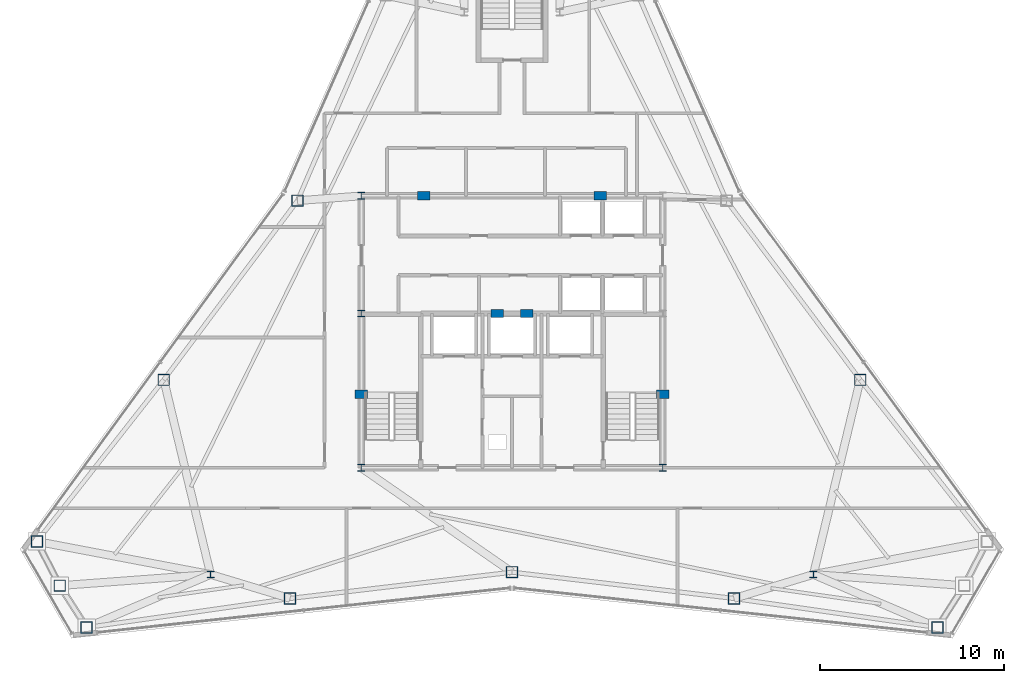
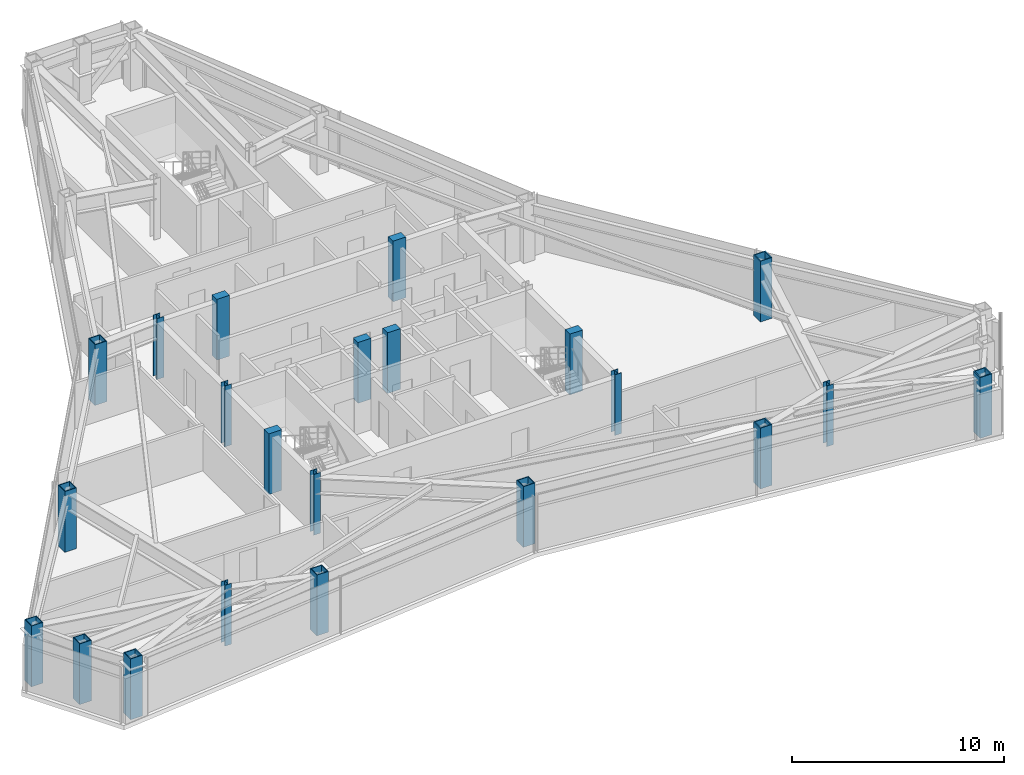
# One storey, part 1 of 12: 22 columns.
"""IFC4 building model written with IfcOpenShell, lengths in metres."""

import ifcopenshell
import ifcopenshell.guid

model = None  # the IFC model being written
_history = None  # IfcOwnerHistory: only IFC2X3 demands one
_inside = {}  # id of a spatial element -> (the spatial element, [elements in it])
_under = {}  # id of a project, library or spatial element -> (it, [spatial elements below it])
_declared = {}  # id of a project -> (the project, [libraries it declares])
_typed = {}  # id of a type object -> (the type object, [elements of that type])
_made_of = {}  # id of a material, layer set ... -> (it, [elements and type objects made of it])


def new_model(schema):
    """Start an empty IFC model of exactly this schema.

    Asked for "IFC4X3", IfcOpenShell would pick the latest addendum, in which some entities
    have other attributes; the version numbers below select the first issue.
    IFC2X3 requires an IfcOwnerHistory on every rooted entity: one is made here for all.
    """
    global model, _history
    if schema == "IFC4X3":
        model = ifcopenshell.file(schema_version=(4, 3, 0, 0))
    else:
        model = ifcopenshell.file(schema=schema)
    _inside.clear()
    _under.clear()
    _declared.clear()
    _typed.clear()
    _made_of.clear()
    _history = None
    if model.schema == "IFC2X3":
        org = make("IfcOrganization", Name="unknown")
        user = make(
            "IfcPersonAndOrganization",
            ThePerson=make("IfcPerson", FamilyName="unknown"),
            TheOrganization=org,
        )
        app = make(
            "IfcApplication",
            ApplicationDeveloper=org,
            Version="unknown",
            ApplicationFullName="unknown",
            ApplicationIdentifier="unknown",
        )
        _history = make(
            "IfcOwnerHistory",
            OwningUser=user,
            OwningApplication=app,
            ChangeAction="ADDED",
            CreationDate=0,
        )
    return model


def make(cls, **values):
    """One entity of the class cls with the attributes given. An attribute that is None is left unset."""
    return model.create_entity(
        cls, **{name: value for name, value in values.items() if value is not None}
    )


def rooted(cls, **values):
    """An entity with a GlobalId (a new one), such as an element, a storey or a relation."""
    return make(cls, GlobalId=ifcopenshell.guid.new(), OwnerHistory=_history, **values)


def si_unit(unit_type, name, prefix=None):
    """IfcSIUnit, for example si_unit("LENGTHUNIT", "METRE", prefix="MILLI")."""
    return make("IfcSIUnit", UnitType=unit_type, Prefix=prefix, Name=name)


def assignment(units):
    """IfcUnitAssignment: the units of a project."""
    return None if units is None else make("IfcUnitAssignment", Units=units)


def point(xyz):
    """IfcCartesianPoint."""
    return None if xyz is None else make("IfcCartesianPoint", Coordinates=xyz)


def direction(xyz):
    """IfcDirection."""
    return None if xyz is None else make("IfcDirection", DirectionRatios=xyz)


def frame(location, z_axis=None, x_axis=None):
    """IfcAxis2Placement3D, a coordinate frame: its origin and axes. An axis left out is left unset."""
    return make(
        "IfcAxis2Placement3D",
        Location=point(location),
        Axis=direction(z_axis),
        RefDirection=direction(x_axis),
    )


def frame_2d(location, x_axis=None):
    """IfcAxis2Placement2D, a coordinate frame in the plane: its origin and x axis."""
    return make(
        "IfcAxis2Placement2D", Location=point(location), RefDirection=direction(x_axis)
    )


def origin():
    """The frame at (0, 0, 0) with its axes left unset."""
    return frame((0.0, 0.0, 0.0))


def origin_2d():
    """The frame at (0, 0) in the plane with its x axis left unset."""
    return frame_2d((0.0, 0.0))


def place(relative_to, where):
    """IfcLocalPlacement: puts the frame where relative to a parent placement (None: the world)."""
    return make(
        "IfcLocalPlacement", PlacementRelTo=relative_to, RelativePlacement=where
    )


def context(
    kind, dimensions, precision=None, world=None, true_north=None, identifier=None
):
    """IfcGeometricRepresentationContext, for example the 3D "Model" context."""
    return make(
        "IfcGeometricRepresentationContext",
        ContextIdentifier=identifier,
        ContextType=kind,
        CoordinateSpaceDimension=dimensions,
        Precision=precision,
        WorldCoordinateSystem=world,
        TrueNorth=true_north,
    )


def subcontext(parent, identifier, kind, view, scale=None):
    """IfcGeometricRepresentationSubContext, for example "Body" below "Model"."""
    return make(
        "IfcGeometricRepresentationSubContext",
        ContextIdentifier=identifier,
        ContextType=kind,
        ParentContext=parent,
        TargetScale=scale,
        TargetView=view,
    )


def project(units=None, contexts=None):
    """IfcProject with its units and contexts."""
    return rooted(
        "IfcProject",
        Name="project",
        RepresentationContexts=contexts,
        UnitsInContext=assignment(units),
    )


def spatial(cls, under=None, at=None, **own):
    """A site, building, storey or space (cls), placed at a placement, below another one or the project."""
    s = rooted(cls, ObjectPlacement=at, **own)
    if under is not None:
        _under.setdefault(under.id(), (under, []))[1].append(s)
    return s


def profile(cls, at=None, kind="AREA", **sizes):
    """A parametric profile (cls). Its sizes go by their IFC names, for example OverallWidth=200.0."""
    return make(cls, ProfileType=kind, Position=at, **sizes)


def rectangle(**sizes):
    """IfcRectangleProfileDef."""
    return profile("IfcRectangleProfileDef", **sizes)


def hollow_rectangle(**sizes):
    """IfcRectangleHollowProfileDef."""
    return profile("IfcRectangleHollowProfileDef", **sizes)


def i_section(**sizes):
    """IfcIShapeProfileDef."""
    return profile("IfcIShapeProfileDef", **sizes)


def extrude(swept, where, along, depth):
    """IfcExtrudedAreaSolid: the profile swept, set in the frame where, extruded along a direction by depth."""
    return make(
        "IfcExtrudedAreaSolid",
        SweptArea=swept,
        Position=where,
        ExtrudedDirection=direction(along),
        Depth=depth,
    )


def shape(context_of_items, identifier, shape_type, items):
    """IfcShapeRepresentation: the items that make up one representation, for example the "Body"."""
    return make(
        "IfcShapeRepresentation",
        ContextOfItems=context_of_items,
        RepresentationIdentifier=identifier,
        RepresentationType=shape_type,
        Items=items,
    )


def material(Name=None, Category=None):
    """IfcMaterial."""
    return make("IfcMaterial", Name=Name, Category=Category)


def material_profile(
    of_material, cross_section, Name=None, Category=None, Priority=None
):
    """IfcMaterialProfile: a cross section and its material."""
    return make(
        "IfcMaterialProfile",
        Name=Name,
        Material=of_material,
        Profile=cross_section,
        Priority=Priority,
        Category=Category,
    )


def profile_set(profiles, Name=None, composite=None):
    """IfcMaterialProfileSet."""
    return make(
        "IfcMaterialProfileSet",
        Name=Name,
        MaterialProfiles=profiles,
        CompositeProfile=composite,
    )


def made_of(thing, what):
    """Note that an element or type object is made of a material, layer set ...; save() writes the relation."""
    if what is not None:
        _made_of.setdefault(what.id(), (what, []))[1].append(thing)
    return thing


def type_object(cls, material=None, **own):
    """A type object (cls), such as IfcWallType, which elements share."""
    return made_of(rooted(cls, **own), material)


def element(
    cls,
    number,
    at=None,
    inside=None,
    cuts=None,
    type_object=None,
    material=None,
    context=None,
    identifier="Body",
    shape_type=None,
    held_by="IfcProductDefinitionShape",
    body=None,
    shapes=None,
    **own,
):
    """One element of the class cls, such as IfcWall. Its Tag is "e" and its number.

    at: its placement. inside: the storey or other place that contains it. cuts: it is an
    opening in that element (IfcRelVoidsElement). A single representation is given by context,
    identifier, shape_type and body (its items); several are given by shapes. held_by: the class
    of the entity that holds the representations. save() writes the other relations.
    """
    e = rooted(cls, Tag="e%d" % number, ObjectPlacement=at, **own)
    if body is not None:
        shapes = [shape(context, identifier, shape_type, body)]
    if shapes is not None:
        e.Representation = make(held_by, Representations=shapes)
    if inside is not None:
        _inside.setdefault(inside.id(), (inside, []))[1].append(e)
    if cuts is not None:
        rooted(
            "IfcRelVoidsElement", RelatingBuildingElement=cuts, RelatedOpeningElement=e
        )
    if type_object is not None:
        _typed.setdefault(type_object.id(), (type_object, []))[1].append(e)
    return made_of(e, material)


def aggregate(whole, parts):
    """IfcRelAggregates: a whole, such as a stair, and the parts it consists of."""
    return rooted("IfcRelAggregates", RelatingObject=whole, RelatedObjects=parts)


def save(model, path):
    """Write the relations noted so far, then the file.

    IfcRelAggregates (storeys below a building ...), IfcRelContainedInSpatialStructure (elements
    in a storey), IfcRelDefinesByType, IfcRelAssociatesMaterial and IfcRelDeclares: one each for
    every whole, place, type object, material and project.
    """
    for whole, parts in _under.values():
        aggregate(whole, parts)
    for where, things in _inside.values():
        rooted(
            "IfcRelContainedInSpatialStructure",
            RelatedElements=things,
            RelatingStructure=where,
        )
    for kind, things in _typed.values():
        rooted("IfcRelDefinesByType", RelatedObjects=things, RelatingType=kind)
    for what, things in _made_of.values():
        rooted("IfcRelAssociatesMaterial", RelatedObjects=things, RelatingMaterial=what)
    for by, libraries in _declared.values():
        rooted("IfcRelDeclares", RelatingContext=by, RelatedDefinitions=libraries)
    model.write(path)


model = new_model("IFC4")

# Units and contexts
model_context = context("Model", 3, precision=1e-05, world=origin(), true_north=direction((0.0, 1.0)))
body_context = subcontext(model_context, "Body", "Model", "MODEL_VIEW")
ifc_project = project(units=[si_unit("LENGTHUNIT", "METRE"), si_unit("AREAUNIT", "SQUARE_METRE"), si_unit("VOLUMEUNIT", "CUBIC_METRE"), si_unit("PLANEANGLEUNIT", "RADIAN"), si_unit("MASSUNIT", "GRAM", prefix="KILO")], contexts=[model_context])

# Site, building, storey
site_placement = place(None, origin())
site = spatial("IfcSite", under=ifc_project, at=site_placement, CompositionType="ELEMENT")
building_placement = place(site_placement, origin())
building = spatial("IfcBuilding", under=site, at=building_placement, Name="Varakhsha Concourse Tower", CompositionType="ELEMENT")
storey_placement = place(building_placement, frame((0.0, 0.0, 265.5)))
storey = spatial("IfcBuildingStorey", under=building, at=storey_placement, Name="L75", CompositionType="ELEMENT", Elevation=265.5)

# Columns
ifc_material_1 = material(Name="Structural Steel ASTM A992 Grade 50", Category="steel")
ifc_material_profile_1 = material_profile(ifc_material_1, i_section(OverallWidth=0.3740234375, OverallDepth=0.3720703125, WebThickness=0.01611328125, FlangeThickness=0.02587890625, at=origin_2d()), Name="W14X132")
ifc_profile_set_1 = profile_set([ifc_material_profile_1], Name="Structural Steel ASTM A992 Grade 50")
column_type_1 = type_object("IfcColumnType", Name="CL-CORE-W14X132", PredefinedType="COLUMN", material=ifc_profile_set_1)
for number, where, z_axis, x_axis, name in (
    (1, (31.800048828125, 16.39990234375, 0.0), (0.0, 0.0, 1.0), (1.0, 0.0, 0.0), "L75 Core Column CC-SW"),
    (2, (48.199951171875, 16.39990234375, 0.0), (0.0, 0.0, 1.0), (1.0, 0.0, 0.0), "L75 Core Column CC-SE"),
    (3, (31.800048828125, 24.800048828125, 0.0), (0.0, 0.0, 1.0), (1.0, 0.0, 0.0), "L75 Core Column CC-MW"),
    (4, (31.800048828125, 31.199951171875, 0.0), (0.0, 0.0, 1.0), (1.0, 0.0, 0.0), "L75 Core Column CC-NW"),
    (5, (23.60009765625, 10.60009765625, 0.0), (0.0, 0.0, 1.0), (1.0, 0.0, 0.0), "L75 Core Column SS-W"),
    (6, (56.39990234375, 10.60009765625, 0.0), (0.0, 0.0, 1.0), (1.0, 0.0, 0.0), "L75 Core Column SS-E"),
):
    element("IfcColumn", number, at=place(storey_placement, frame(where, z_axis=z_axis, x_axis=x_axis)), inside=storey, type_object=column_type_1, Name=name, PredefinedType="COLUMN", context=body_context, shape_type="SweptSolid", body=[
        extrude(i_section(OverallWidth=0.3740234375, OverallDepth=0.3720703125, WebThickness=0.01611328125, FlangeThickness=0.02587890625, at=origin_2d()), origin(), (0.0, 0.0, 1.0), 3.5),
    ])
ifc_material_2 = material(Name="Concrete fc 65 MPa", Category="concrete")
ifc_material_profile_2 = material_profile(ifc_material_2, rectangle(XDim=0.699951171875, YDim=0.449951171875, at=origin_2d()), Name="RC 700x450")
ifc_profile_set_2 = profile_set([ifc_material_profile_2], Name="Concrete fc 65 MPa")
column_type_2 = type_object("IfcColumnType", Name="CL-PIL-700X450", PredefinedType="PILASTER", material=ifc_profile_set_2)
for number, where, z_axis, x_axis, name in (
    (7, (31.800048828125, 20.39990234375, 0.0), (0.0, 0.0, 1.0), (1.0, 0.0, 0.0), "L75 Core Boundary Pilaster PIL-W1"),
    (8, (48.199951171875, 20.39990234375, 0.0), (0.0, 0.0, 1.0), (1.0, 0.0, 0.0), "L75 Core Boundary Pilaster PIL-E1"),
    (9, (35.199951171875, 31.199951171875, 0.0), (0.0, 0.0, 1.0), (1.0, 0.0, 0.0), "L75 Core Boundary Pilaster PIL-N1"),
    (10, (44.800048828125, 31.199951171875, 0.0), (0.0, 0.0, 1.0), (1.0, 0.0, 0.0), "L75 Core Boundary Pilaster PIL-N2"),
    (11, (39.199951171875, 24.800048828125, 0.0), (0.0, 0.0, 1.0), (1.0, 0.0, 0.0), "L75 Core Boundary Pilaster PIL-M1"),
    (12, (40.800048828125, 24.800048828125, 0.0), (0.0, 0.0, 1.0), (1.0, 0.0, 0.0), "L75 Core Boundary Pilaster PIL-M2"),
):
    element("IfcColumn", number, at=place(storey_placement, frame(where, z_axis=z_axis, x_axis=x_axis)), inside=storey, type_object=column_type_2, Name=name, PredefinedType="PILASTER", context=body_context, shape_type="SweptSolid", body=[
        extrude(rectangle(XDim=0.699951171875, YDim=0.449951171875, at=origin_2d()), origin(), (0.0, 0.0, 1.0), 3.5),
    ])
ifc_material_3 = material(Name="Structural Steel ASTM A572 Grade 50", Category="steel")
ifc_material_profile_3 = material_profile(ifc_material_3, hollow_rectangle(XDim=0.639892578125, YDim=0.639892578125, WallThickness=0.044921875, at=origin_2d()), Name="BOX 640x640x45")
ifc_profile_set_3 = profile_set([ifc_material_profile_3], Name="Structural Steel ASTM A572 Grade 50")
column_type_3 = type_object("IfcColumnType", Name="CL-TUBE-640", PredefinedType="COLUMN", material=ifc_profile_set_3)
for number, where, z_axis, x_axis, name in (
    (13, (28.3291015625, 30.938232421875, 0.0), (0.0, 0.0, 1.0), (1.0, 0.0, 0.0), "L75 Framed-Tube Column TC05"),
    (14, (21.05078125, 21.191162109375, 0.0), (0.0, 0.0, 1.0), (1.0, 0.0, 0.0), "L75 Framed-Tube Column TC06"),
    (15, (14.148681640625, 12.396728515625, 0.0), (0.0, 0.0, 1.0), (1.0, 0.0, 0.0), "L75 Framed-Tube Column TC07"),
    (16, (15.39013671875, 9.991455078125, 0.0), (0.0, 0.0, 1.0), (1.0, 0.0, 0.0), "L75 Framed-Tube Column TC08"),
    (17, (16.852294921875, 7.713623046875, 0.0), (0.0, 0.0, 1.0), (1.0, 0.0, 0.0), "L75 Framed-Tube Column TC09"),
    (18, (27.919677734375, 9.2939453125, 0.0), (0.0, 0.0, 1.0), (1.0, 0.0, 0.0), "L75 Framed-Tube Column TC10"),
    (19, (40.0, 10.7236328125, 0.0), (0.0, 0.0, 1.0), (1.0, 0.0, 0.0), "L75 Framed-Tube Column TC11"),
    (20, (52.080322265625, 9.2939453125, 0.0), (0.0, 0.0, 1.0), (1.0, 0.0, 0.0), "L75 Framed-Tube Column TC12"),
    (21, (63.147705078125, 7.713623046875, 0.0), (0.0, 0.0, 1.0), (1.0, 0.0, 0.0), "L75 Framed-Tube Column TC13"),
    (22, (58.94921875, 21.191162109375, 0.0), (0.0, 0.0, 1.0), (1.0, 0.0, 0.0), "L75 Framed-Tube Column TC16"),
):
    element("IfcColumn", number, at=place(storey_placement, frame(where, z_axis=z_axis, x_axis=x_axis)), inside=storey, type_object=column_type_3, Name=name, PredefinedType="COLUMN", context=body_context, shape_type="SweptSolid", body=[
        extrude(hollow_rectangle(XDim=0.639892578125, YDim=0.639892578125, WallThickness=0.044921875, at=origin_2d()), origin(), (0.0, 0.0, 1.0), 3.5),
    ])

save(model, "model.ifc")
